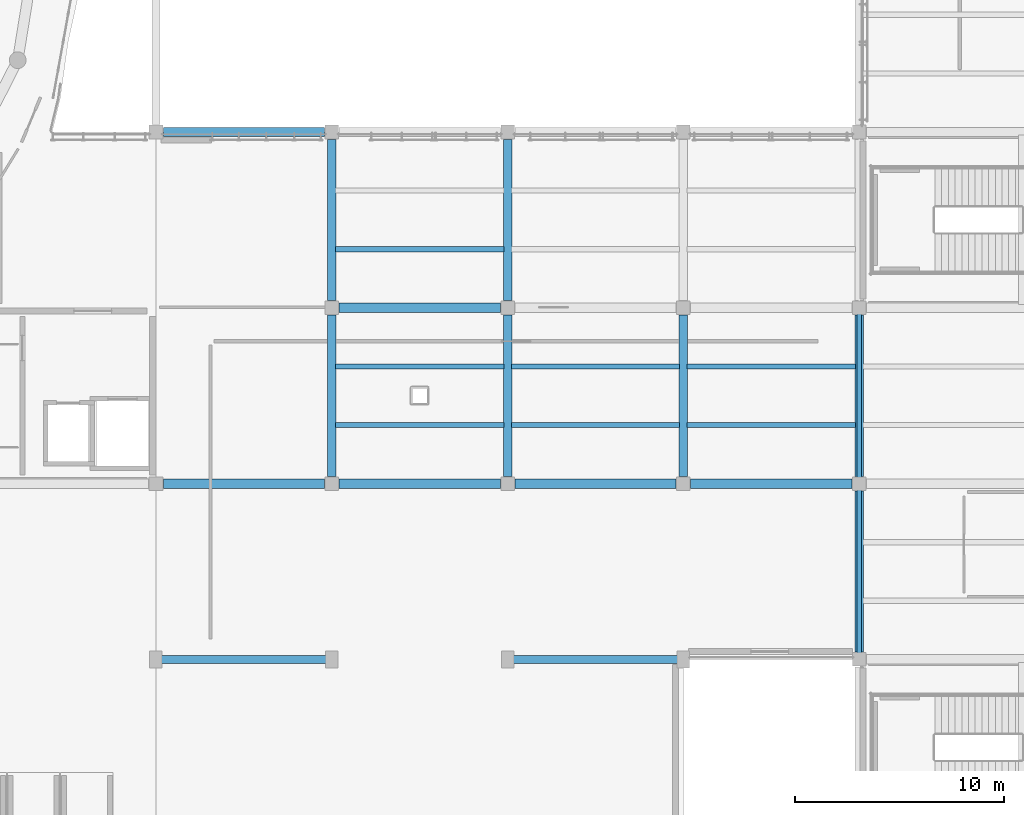
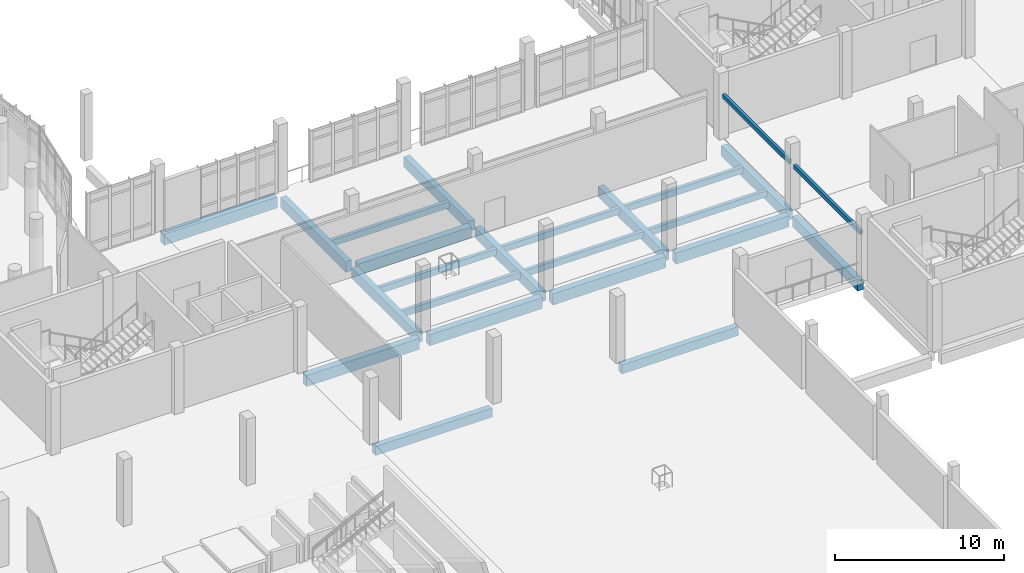
# One storey, part 7 of 63: 24 beams.
"""IFC4 building model written with IfcOpenShell, lengths in metres."""

from ifc_helpers import new_model, si_unit, derived_unit, direction, frame, origin, origin_2d, place, context, subcontext, project, spatial, rectangle, extrude, material, material_profile, profile_set, type_object, element, save


model = new_model("IFC4")

# Units and contexts
model_context = context("Model", 3, precision=1e-05, world=origin(), true_north=direction((0.0, 1.0)))
body_context = subcontext(model_context, "Body", "Model", "MODEL_VIEW")
ifc_project = project(units=[si_unit("LENGTHUNIT", "METRE"), si_unit("AREAUNIT", "SQUARE_METRE"), si_unit("VOLUMEUNIT", "CUBIC_METRE"), si_unit("PLANEANGLEUNIT", "RADIAN"), si_unit("MASSUNIT", "GRAM", prefix="KILO"), derived_unit("THERMALTRANSMITTANCEUNIT", [(si_unit("POWERUNIT", "WATT"), 1), (si_unit("LENGTHUNIT", "METRE"), -2), (si_unit("THERMODYNAMICTEMPERATUREUNIT", "KELVIN"), -1)])], contexts=[model_context])

# Site, building, storey
site_placement = place(None, origin())
site = spatial("IfcSite", under=ifc_project, at=site_placement, CompositionType="ELEMENT")
building_placement = place(site_placement, origin())
building = spatial("IfcBuilding", under=site, at=building_placement, Name="Elbkamm Science Centre", CompositionType="ELEMENT")
storey_placement = place(building_placement, frame((0.0, 0.0, 5.10009765625)))
storey = spatial("IfcBuildingStorey", under=building, at=storey_placement, Name="L01", CompositionType="ELEMENT", Elevation=5.10009765625)

# Beams
ifc_material = material(Name="Concrete C40/50", Category="concrete")
ifc_material_profile_1 = material_profile(ifc_material, rectangle(XDim=0.39990234375, YDim=0.64990234375, at=origin_2d()), Name="RC 400x650")
ifc_profile_set_1 = profile_set([ifc_material_profile_1], Name="Concrete C40/50")
beam_type_1 = type_object("IfcBeamType", Name="BM-RC-400x650", PredefinedType="BEAM", material=ifc_profile_set_1)
for number, where, z_axis, x_axis, name in (
    (1, (92.6201171875, 33.60009765625, -0.72509765625), (1.0, 0.0, 0.0), (0.0, 1.0, 0.0), "L01 Perimeter Ring Tie Girder 023"),
    (2, (109.419921875, 33.60009765625, -0.72509765625), (1.0, 0.0, 0.0), (0.0, 1.0, 0.0), "L01 Perimeter Ring Tie Girder 025"),
):
    element("IfcBeam", number, at=place(storey_placement, frame(where, z_axis=z_axis, x_axis=x_axis)), inside=storey, type_object=beam_type_1, Name=name, PredefinedType="BEAM", context=body_context, shape_type="SweptSolid", body=[
        extrude(rectangle(XDim=0.39990234375, YDim=0.64990234375, at=origin_2d()), origin(), (0.0, 0.0, 1.0), 7.9599609375),
    ])
ifc_material_profile_2 = material_profile(ifc_material, rectangle(XDim=0.39990234375, YDim=0.75, at=origin_2d()), Name="RC 400x750")
ifc_profile_set_2 = profile_set([ifc_material_profile_2], Name="Concrete C40/50")
beam_type_2 = type_object("IfcBeamType", Name="BM-RC-400x750", PredefinedType="BEAM", material=ifc_profile_set_2)
for number, where, z_axis, x_axis, name in (
    (3, (100.800048828125, 42.35009765625, -0.775146484375), (0.0, 1.0, 0.0), (-1.0, 0.0, 0.0), "L01 Primary Y-Girder 031"),
    (4, (100.800048828125, 50.75, -0.775146484375), (0.0, 1.0, 0.0), (-1.0, 0.0, 0.0), "L01 Primary Y-Girder 032"),
    (5, (109.199951171875, 42.35009765625, -0.775146484375), (0.0, 1.0, 0.0), (-1.0, 0.0, 0.0), "L01 Primary Y-Girder 035"),
    (6, (109.199951171875, 50.75, -0.775146484375), (0.0, 1.0, 0.0), (-1.0, 0.0, 0.0), "L01 Primary Y-Girder 036"),
    (7, (117.60009765625, 42.35009765625, -0.775146484375), (0.0, 1.0, 0.0), (-1.0, 0.0, 0.0), "L01 Primary Y-Girder 039"),
    (8, (126.0, 33.949951171875, -0.775146484375), (0.0, 1.0, 0.0), (-1.0, 0.0, 0.0), "L01 Primary Y-Girder 042"),
    (9, (126.0, 42.35009765625, -0.775146484375), (0.0, 1.0, 0.0), (-1.0, 0.0, 0.0), "L01 Primary Y-Girder 043"),
):
    element("IfcBeam", number, at=place(storey_placement, frame(where, z_axis=z_axis, x_axis=x_axis)), inside=storey, type_object=beam_type_2, Name=name, PredefinedType="BEAM", context=body_context, shape_type="SweptSolid", body=[
        extrude(rectangle(XDim=0.39990234375, YDim=0.75, at=origin_2d()), origin(), (0.0, 0.0, 1.0), 7.699951171875),
    ])
ifc_material_profile_3 = material_profile(ifc_material, rectangle(XDim=0.449951171875, YDim=0.800048828125, at=origin_2d()), Name="RC 450x800")
ifc_profile_set_3 = profile_set([ifc_material_profile_3], Name="Concrete C40/50")
beam_type_3 = type_object("IfcBeamType", Name="BM-RC-450x800", PredefinedType="BEAM", material=ifc_profile_set_3)
beam_1_placement = place(storey_placement, frame((92.75, 42.0, -0.800048828125), z_axis=(1.0, 0.0, 0.0), x_axis=(0.0, 1.0, 0.0)))
element("IfcBeam", 10, at=beam_1_placement, inside=storey, type_object=beam_type_3, Name="L01 Primary X-Girder 041", PredefinedType="BEAM", context=body_context, shape_type="SweptSolid", body=[
    extrude(rectangle(XDim=0.449951171875, YDim=0.800048828125, at=origin_2d()), origin(), (0.0, 0.0, 1.0), 7.699951171875),
])
beam_2_placement = place(storey_placement, frame((101.14990234375, 42.0, -0.800048828125), z_axis=(1.0, 0.0, 0.0), x_axis=(0.0, 1.0, 0.0)))
element("IfcBeam", 11, at=beam_2_placement, inside=storey, type_object=beam_type_3, Name="L01 Primary X-Girder 042", PredefinedType="BEAM", context=body_context, shape_type="SweptSolid", body=[
    extrude(rectangle(XDim=0.449951171875, YDim=0.800048828125, at=origin_2d()), origin(), (0.0, 0.0, 1.0), 7.7001953125),
])
for number, where, z_axis, x_axis, name in (
    (12, (109.550048828125, 42.0, -0.800048828125), (1.0, 0.0, 0.0), (0.0, 1.0, 0.0), "L01 Primary X-Girder 043"),
    (13, (117.949951171875, 42.0, -0.800048828125), (1.0, 0.0, 0.0), (0.0, 1.0, 0.0), "L01 Primary X-Girder 044"),
):
    element("IfcBeam", number, at=place(storey_placement, frame(where, z_axis=z_axis, x_axis=x_axis)), inside=storey, type_object=beam_type_3, Name=name, PredefinedType="BEAM", context=body_context, shape_type="SweptSolid", body=[
        extrude(rectangle(XDim=0.449951171875, YDim=0.800048828125, at=origin_2d()), origin(), (0.0, 0.0, 1.0), 7.699951171875),
    ])
beam_3_placement = place(storey_placement, frame((101.14990234375, 50.39990234375, -0.800048828125), z_axis=(1.0, 0.0, 0.0), x_axis=(0.0, 1.0, 0.0)))
element("IfcBeam", 14, at=beam_3_placement, inside=storey, type_object=beam_type_3, Name="L01 Primary X-Girder 051", PredefinedType="BEAM", context=body_context, shape_type="SweptSolid", body=[
    extrude(rectangle(XDim=0.449951171875, YDim=0.800048828125, at=origin_2d()), origin(), (0.0, 0.0, 1.0), 7.7001953125),
])
beam_4_placement = place(storey_placement, frame((92.75, 58.800048828125, -0.800048828125), z_axis=(1.0, 0.0, 0.0), x_axis=(0.0, 1.0, 0.0)))
element("IfcBeam", 15, at=beam_4_placement, inside=storey, type_object=beam_type_3, Name="L01 Primary X-Girder 060", PredefinedType="BEAM", context=body_context, shape_type="SweptSolid", body=[
    extrude(rectangle(XDim=0.449951171875, YDim=0.800048828125, at=origin_2d()), origin(), (0.0, 0.0, 1.0), 7.699951171875),
])
ifc_material_profile_4 = material_profile(ifc_material, rectangle(XDim=0.25, YDim=0.449951171875, at=origin_2d()), Name="RC 250x450")
ifc_profile_set_4 = profile_set([ifc_material_profile_4], Name="Concrete C40/50")
beam_type_4 = type_object("IfcBeamType", Name="JST-RC-250x450", PredefinedType="JOIST", material=ifc_profile_set_4)
for number, where, z_axis, x_axis, name in (
    (16, (100.97998046875, 44.800048828125, -0.625), (1.0, 0.0, 0.0), (0.0, 1.0, 0.0), "L01 Secondary Floor Joist 041"),
    (17, (100.97998046875, 47.60009765625, -0.625), (1.0, 0.0, 0.0), (0.0, 1.0, 0.0), "L01 Secondary Floor Joist 042"),
    (18, (100.97998046875, 53.199951171875, -0.625), (1.0, 0.0, 0.0), (0.0, 1.0, 0.0), "L01 Secondary Floor Joist 043"),
    (19, (109.3798828125, 44.800048828125, -0.625), (1.0, 0.0, 0.0), (0.0, 1.0, 0.0), "L01 Secondary Floor Joist 049"),
    (20, (109.3798828125, 47.60009765625, -0.625), (1.0, 0.0, 0.0), (0.0, 1.0, 0.0), "L01 Secondary Floor Joist 050"),
    (21, (117.780029296875, 44.800048828125, -0.625), (1.0, 0.0, 0.0), (0.0, 1.0, 0.0), "L01 Secondary Floor Joist 053"),
    (22, (117.780029296875, 47.60009765625, -0.625), (1.0, 0.0, 0.0), (0.0, 1.0, 0.0), "L01 Secondary Floor Joist 054"),
):
    element("IfcBeam", number, at=place(storey_placement, frame(where, z_axis=z_axis, x_axis=x_axis)), inside=storey, type_object=beam_type_4, Name=name, PredefinedType="JOIST", context=body_context, shape_type="SweptSolid", body=[
        extrude(rectangle(XDim=0.25, YDim=0.449951171875, at=origin_2d()), origin(), (0.0, 0.0, 1.0), 8.0400390625),
    ])
ifc_material_profile_5 = material_profile(ifc_material, rectangle(XDim=0.199951171875, YDim=0.300048828125, at=origin_2d()), Name="RC 200x300")
ifc_profile_set_5 = profile_set([ifc_material_profile_5], Name="Concrete C40/50")
beam_type_5 = type_object("IfcBeamType", Name="LIN-RC-200x300", PredefinedType="LINTEL", material=ifc_profile_set_5)
for number, where, z_axis, x_axis, name in (
    (23, (126.0, 33.85009765625, 3.099853515625), (0.0, 1.0, 0.0), (-1.0, 0.0, 0.0), "L01 Opening Lintel 05"),
    (24, (126.0, 42.25, 3.099853515625), (0.0, 1.0, 0.0), (-1.0, 0.0, 0.0), "L01 Opening Lintel 06"),
):
    element("IfcBeam", number, at=place(storey_placement, frame(where, z_axis=z_axis, x_axis=x_axis)), inside=storey, type_object=beam_type_5, Name=name, PredefinedType="LINTEL", context=body_context, shape_type="SweptSolid", body=[
        extrude(rectangle(XDim=0.199951171875, YDim=0.300048828125, at=origin_2d()), origin(), (0.0, 0.0, 1.0), 7.89990234375),
    ])

save(model, "model.ifc")
